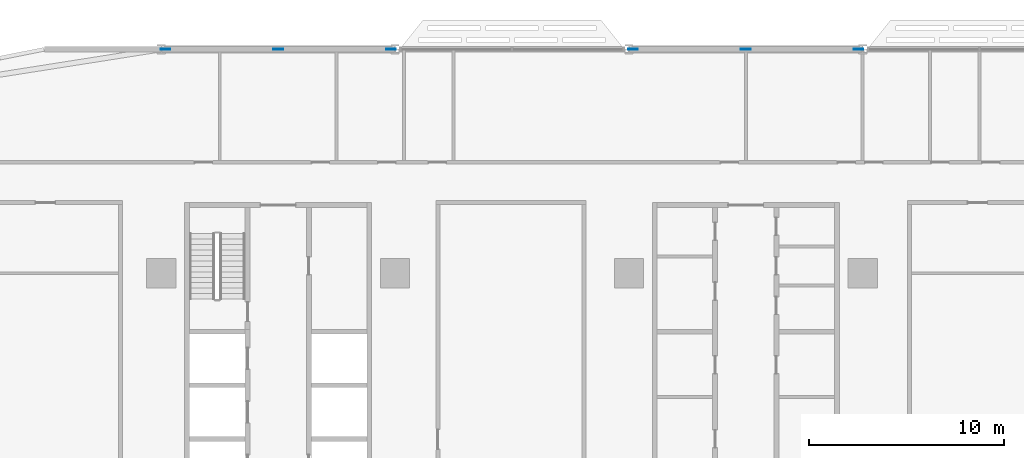
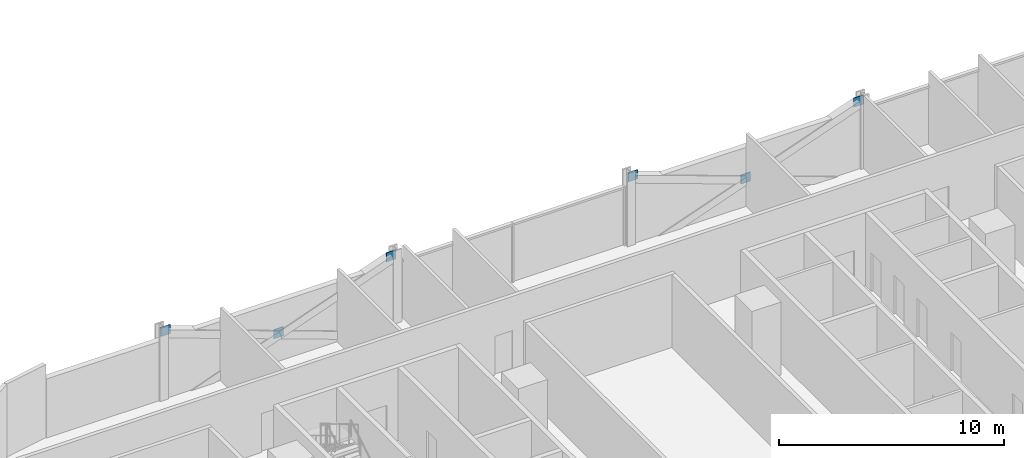
# One storey, part 21 of 29: 6 discrete accessories.
"""IFC4 building model written with IfcOpenShell, lengths in metres."""

from ifc_helpers import new_model, si_unit, direction, frame, origin, origin_2d, place, context, subcontext, project, spatial, rectangle, extrude, material, layer, layer_set, type_object, element, save


model = new_model("IFC4")

# Units and contexts
model_context = context("Model", 3, precision=1e-05, world=origin(), true_north=direction((0.0, 1.0)))
body_context = subcontext(model_context, "Body", "Model", "MODEL_VIEW")
ifc_project = project(units=[si_unit("LENGTHUNIT", "METRE"), si_unit("AREAUNIT", "SQUARE_METRE"), si_unit("VOLUMEUNIT", "CUBIC_METRE"), si_unit("PLANEANGLEUNIT", "RADIAN"), si_unit("MASSUNIT", "GRAM", prefix="KILO")], contexts=[model_context])

# Site, building, storey
site_placement = place(None, origin())
site = spatial("IfcSite", under=ifc_project, at=site_placement, CompositionType="ELEMENT")
building_placement = place(site_placement, origin())
building = spatial("IfcBuilding", under=site, at=building_placement, Name="Mahtab Terrace Research Tower", CompositionType="ELEMENT")
storey_placement = place(building_placement, frame((0.0, 0.0, 71.800048828125)))
storey = spatial("IfcBuildingStorey", under=building, at=storey_placement, Name="L16", CompositionType="ELEMENT", Elevation=71.800048828125)

# Discrete accessories
ifc_material = material(Name="Steel ASTM A992 Gr 50", Category="steel")
ifc_layer = layer(ifc_material, 0.030029296875)
ifc_layer_set = layer_set([ifc_layer], Name="Gusset plate 500x500x30")
discrete_accessory_type = type_object("IfcDiscreteAccessoryType", Name="Gusset plate 500x500x30", PredefinedType="USERDEFINED", material=ifc_layer_set)
for number, where, z_axis, x_axis, name in (
    (1, (-29.787841796875, 23.0, 3.32958984375), (0.0, 0.0, 1.0), (1.0, 0.0, 0.0), "Gusset plate"),
    (2, (-24.0, 23.0, 1.181396484375), (0.0, 0.0, 1.0), (1.0, 0.0, 0.0), "Gusset plate"),
    (3, (-18.212158203125, 23.0, 3.32958984375), (0.0, 0.0, 1.0), (1.0, 0.0, 0.0), "Gusset plate"),
    (4, (-5.787841796875, 23.0, 3.32958984375), (0.0, 0.0, 1.0), (1.0, 0.0, 0.0), "Gusset plate"),
    (5, (0.0, 23.0, 1.181396484375), (0.0, 0.0, 1.0), (1.0, 0.0, 0.0), "Gusset plate"),
    (6, (5.787841796875, 23.0, 3.32958984375), (0.0, 0.0, 1.0), (1.0, 0.0, 0.0), "Gusset plate"),
):
    element("IfcDiscreteAccessory", number, at=place(storey_placement, frame(where, z_axis=z_axis, x_axis=x_axis)), inside=storey, type_object=discrete_accessory_type, Name=name, ObjectType="GUSSET PLATE", PredefinedType="USERDEFINED", context=body_context, shape_type="SweptSolid", body=[
        extrude(rectangle(XDim=0.5, YDim=0.030029296875, at=origin_2d()), origin(), (0.0, 0.0, 1.0), 0.5),
    ])

save(model, "model.ifc")
